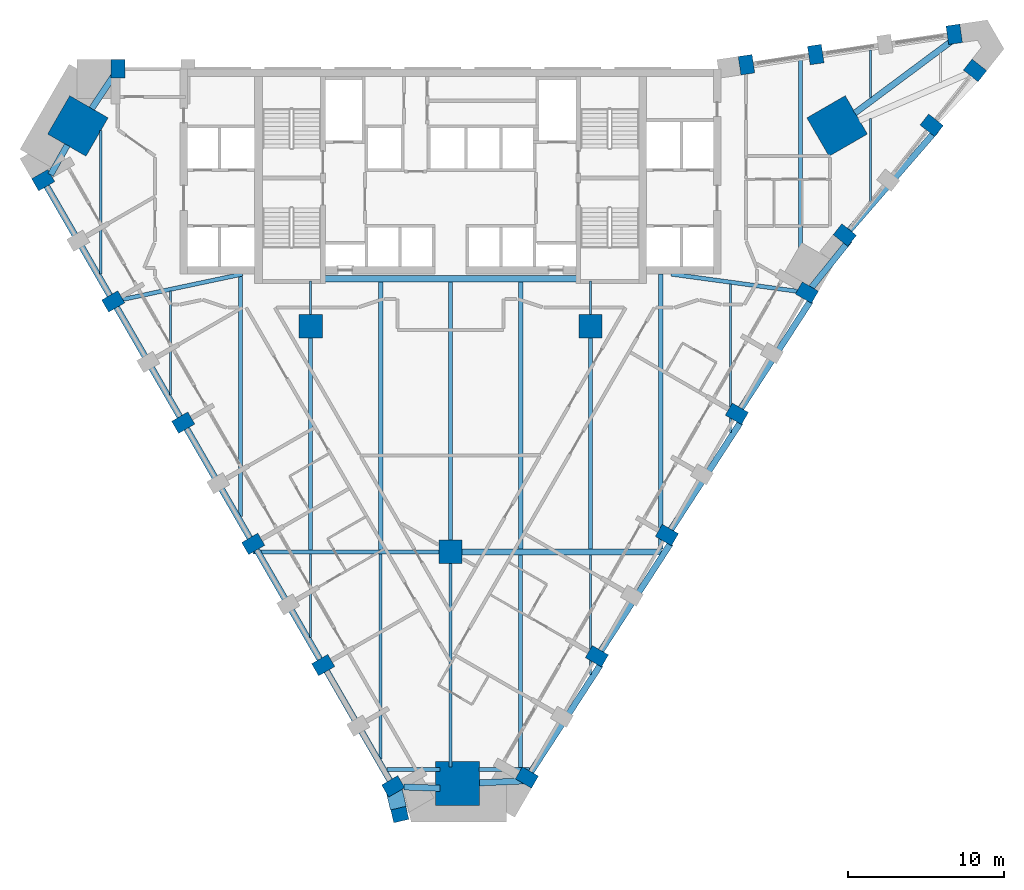
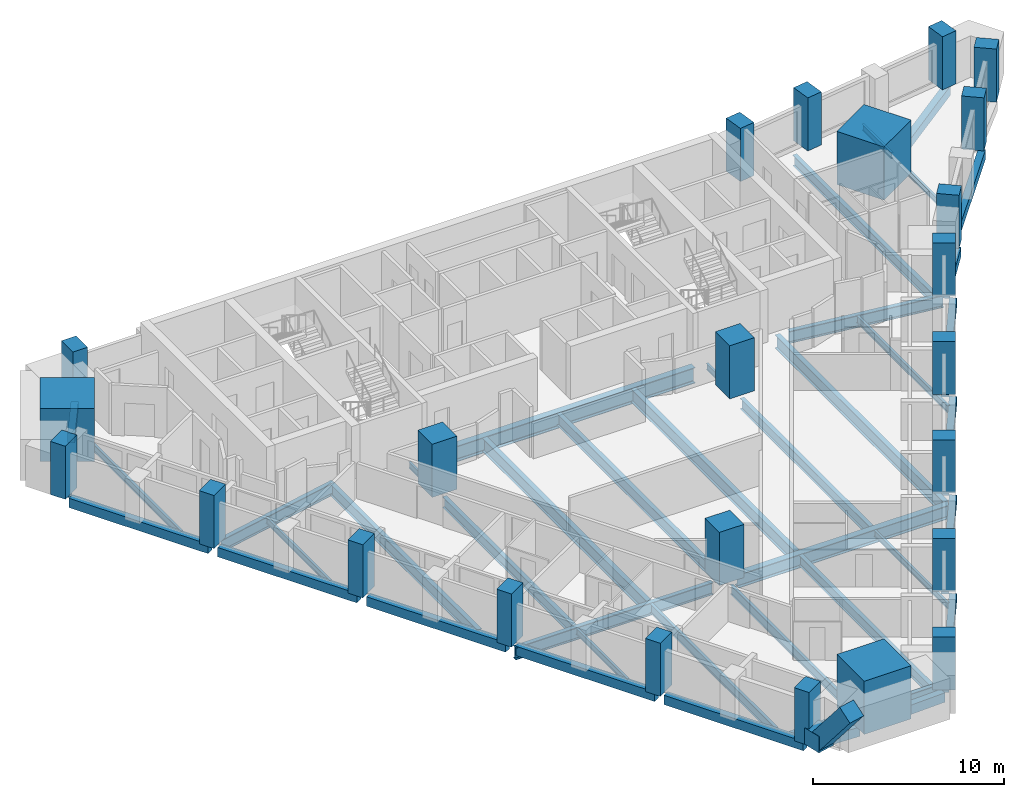
# One storey, part 1 of 11: 44 beams, 25 columns.
"""IFC4 building model written with IfcOpenShell, lengths in metres."""

from ifc_helpers import new_model, si_unit, direction, frame, origin, origin_2d, place, context, subcontext, project, spatial, rectangle, i_section, extrude, material, material_profile, profile_set, type_object, element, save


model = new_model("IFC4")

# Units and contexts
model_context = context("Model", 3, precision=1e-05, world=origin(), true_north=direction((0.0, 1.0)))
body_context = subcontext(model_context, "Body", "Model", "MODEL_VIEW")
ifc_project = project(units=[si_unit("LENGTHUNIT", "METRE"), si_unit("AREAUNIT", "SQUARE_METRE"), si_unit("VOLUMEUNIT", "CUBIC_METRE"), si_unit("PLANEANGLEUNIT", "RADIAN"), si_unit("MASSUNIT", "GRAM", prefix="KILO")], contexts=[model_context])

# Site, building, storey
site_placement = place(None, origin())
site = spatial("IfcSite", under=ifc_project, at=site_placement, CompositionType="ELEMENT")
building_placement = place(site_placement, origin())
building = spatial("IfcBuilding", under=site, at=building_placement, Name="Calabash Gate Tower", CompositionType="ELEMENT")
storey_placement = place(building_placement, frame((0.0, 0.0, 129.199951171875)))
storey = spatial("IfcBuildingStorey", under=building, at=storey_placement, Name="L30", CompositionType="ELEMENT", Elevation=129.199951171875)

# Columns
ifc_material_1 = material(Name="Concrete C80/95", Category="concrete")
ifc_material_profile_1 = material_profile(ifc_material_1, rectangle(XDim=1.5, YDim=1.5, at=origin_2d()))
ifc_profile_set_1 = profile_set([ifc_material_profile_1], Name="Concrete C80/95")
column_type_1 = type_object("IfcColumnType", Name="Interior column RC 1500x1500 Concrete C80/95", PredefinedType="COLUMN", material=ifc_profile_set_1)
for number, where, z_axis, x_axis, name in (
    (1, (-9.0, 2.5, 0.0), (0.0, 0.0, 1.0), (1.0, 0.0, 0.0), "Interior column L30 I0"),
    (2, (9.0, 2.5, 0.0), (0.0, 0.0, 1.0), (1.0, 0.0, 0.0), "Interior column L30 I1"),
    (3, (0.0, -12.0, 0.0), (0.0, 0.0, 1.0), (1.0, 0.0, 0.0), "Interior column L30 I2"),
):
    element("IfcColumn", number, at=place(storey_placement, frame(where, z_axis=z_axis, x_axis=x_axis)), inside=storey, type_object=column_type_1, Name=name, PredefinedType="COLUMN", context=body_context, shape_type="SweptSolid", body=[
        extrude(rectangle(XDim=1.5, YDim=1.5, at=origin_2d()), origin(), (0.0, 0.0, 1.0), 3.400146484375),
    ])
ifc_material_2 = material(Name="Concrete C80/95", Category="concrete")
ifc_material_profile_2 = material_profile(ifc_material_2, rectangle(XDim=2.85009765625, YDim=2.85009765625, at=origin_2d()))
ifc_profile_set_2 = profile_set([ifc_material_profile_2], Name="Concrete C80/95")
column_type_2 = type_object("IfcColumnType", Name="Mega column RC 2850x2850 Concrete C80/95", PredefinedType="COLUMN", material=ifc_profile_set_2)
for number, where, z_axis, x_axis, name in (
    (4, (-23.962890625, 15.382080078125, 0.0), (0.0, 0.0, 1.0), (0.866025403784, -0.5, 0.0), "Mega column L30 NW"),
    (5, (24.85205078125, 15.382080078125, 0.0), (0.0, 0.0, 1.0), (-0.866025403784, -0.5, 0.0), "Mega column L30 NE"),
    (6, (0.447021484375, -26.89306640625, 0.0), (0.0, 0.0, 1.0), (0.0, 1.0, 0.0), "Mega column L30 S"),
):
    element("IfcColumn", number, at=place(storey_placement, frame(where, z_axis=z_axis, x_axis=x_axis)), inside=storey, type_object=column_type_2, Name=name, PredefinedType="COLUMN", context=body_context, shape_type="SweptSolid", body=[
        extrude(rectangle(XDim=2.85009765625, YDim=2.85009765625, at=origin_2d()), origin(), (0.0, 0.0, 1.0), 3.400146484375),
    ])
ifc_material_3 = material(Name="Concrete C70/85", Category="concrete")
ifc_material_profile_3 = material_profile(ifc_material_3, rectangle(XDim=0.89990234375, YDim=1.199951171875, at=origin_2d()))
ifc_profile_set_3 = profile_set([ifc_material_profile_3], Name="Concrete C70/85")
column_type_3 = type_object("IfcColumnType", Name="Perimeter column RC 900x1200 Concrete C70/85", PredefinedType="COLUMN", material=ifc_profile_set_3)
for number, where, z_axis, x_axis, name in (
    (7, (-26.18798828125, 11.89404296875, 0.0), (0.0, 0.0, 1.0), (0.5, -0.866025403784, 0.0), "Perimeter column L30 P20"),
    (8, (-21.68798828125, 4.10009765625, 0.0), (0.0, 0.0, 1.0), (0.5, -0.866025403784, 0.0), "Perimeter column L30 P00"),
    (9, (-17.18798828125, -3.694091796875, 0.0), (0.0, 0.0, 1.0), (0.5, -0.866025403784, 0.0), "Perimeter column L30 P01"),
    (10, (-12.68798828125, -11.488037109375, 0.0), (0.0, 0.0, 1.0), (0.5, -0.866025403784, 0.0), "Perimeter column L30 P02"),
    (11, (-8.18798828125, -19.281982421875, 0.0), (0.0, 0.0, 1.0), (0.5, -0.866025403784, 0.0), "Perimeter column L30 P03"),
    (12, (-3.68798828125, -27.076904296875, 0.0), (0.0, 0.0, 1.0), (0.5, -0.866025403784, 0.0), "Perimeter column L30 P05"),
    (13, (4.906982421875, -26.506103515625, 0.0), (0.0, 0.0, 1.0), (0.5, 0.866025403784, 0.0), "Perimeter column L30 P08"),
    (14, (9.406982421875, -18.7119140625, 0.0), (0.0, 0.0, 1.0), (0.5, 0.866025403784, 0.0), "Perimeter column L30 P09"),
    (15, (13.906982421875, -10.91796875, 0.0), (0.0, 0.0, 1.0), (0.5, 0.866025403784, 0.0), "Perimeter column L30 P10"),
    (16, (18.406982421875, -3.1240234375, 0.0), (0.0, 0.0, 1.0), (0.5, 0.866025403784, 0.0), "Perimeter column L30 P11"),
    (17, (22.906982421875, 4.6708984375, 0.0), (0.0, 0.0, 1.0), (0.5, 0.866025403784, 0.0), "Perimeter column L30 P12"),
    (18, (25.345947265625, 8.366943359375, 0.0), (0.0, 0.0, 1.0), (0.620301172202, 0.784363726701, 0.0), "Perimeter column L30 P13"),
    (19, (30.928955078125, 15.424072265625, 0.0), (0.0, 0.0, 1.0), (0.620301172202, 0.784363726701, 0.0), "Perimeter column L30 P21"),
    (20, (33.719970703125, 18.9541015625, 0.0), (0.0, 0.0, 1.0), (0.620301172202, 0.784363726701, 0.0), "Perimeter column L30 P22"),
    (21, (32.3798828125, 21.27587890625, 0.0), (0.0, 0.0, 1.0), (-0.989429504293, -0.145014675236, 0.0), "Perimeter column L30 P23"),
    (22, (23.47705078125, 19.970947265625, 0.0), (0.0, 0.0, 1.0), (-0.989429504293, -0.145014675236, 0.0), "Perimeter column L30 P16"),
    (23, (19.02294921875, 19.318115234375, 0.0), (0.0, 0.0, 1.0), (-0.989429504293, -0.145014675236, 0.0), "Perimeter column L30 P24"),
    (24, (-21.39697265625, 19.052978515625, 0.0), (0.0, 0.0, 1.0), (-1.0, 0.0, 0.0), "Perimeter column L30 P17"),
):
    element("IfcColumn", number, at=place(storey_placement, frame(where, z_axis=z_axis, x_axis=x_axis)), inside=storey, type_object=column_type_3, Name=name, PredefinedType="COLUMN", context=body_context, shape_type="SweptSolid", body=[
        extrude(rectangle(XDim=0.89990234375, YDim=1.199951171875, at=origin_2d()), origin(), (0.0, 0.0, 1.0), 3.400146484375),
    ])
ifc_material_4 = material(Name="Concrete C80/95", Category="concrete")
ifc_material_profile_4 = material_profile(ifc_material_4, rectangle(XDim=1.0, YDim=1.0, at=origin_2d()))
ifc_profile_set_4 = profile_set([ifc_material_profile_4], Name="Concrete C80/95")
column_type_4 = type_object("IfcColumnType", Name="Prow kicker column RC 1000x1000 Concrete C80/95", PredefinedType="COLUMN", material=ifc_profile_set_4)
column_placement = place(storey_placement, frame((-3.4541015625, -28.075927734375, 0.41015625), z_axis=(0.141877471433, -0.604195712053, 0.784103516532), x_axis=(-0.179247881888, 0.763340370658, 0.620630063212)))
element("IfcColumn", 25, at=column_placement, inside=storey, type_object=column_type_4, Name="Prow kicker column L30 KP27", PredefinedType="COLUMN", context=body_context, shape_type="SweptSolid", body=[
    extrude(rectangle(XDim=1.0, YDim=1.0, at=origin_2d()), origin(), (0.0, 0.0, 1.0), 3.813232421875),
])

# Beams
ifc_material_5 = material(Name="Concrete C60/75", Category="concrete")
ifc_material_profile_5 = material_profile(ifc_material_5, rectangle(XDim=0.39990234375, YDim=0.60009765625, at=origin_2d()))
ifc_profile_set_5 = profile_set([ifc_material_profile_5], Name="Concrete C60/75")
beam_type_1 = type_object("IfcBeamType", Name="Edge beam RC 400x600 Concrete C60/75", PredefinedType="BEAM", material=ifc_profile_set_5)
beam_1_placement = place(storey_placement, frame((-16.969970703125, -4.072021484375, -0.469970703125), z_axis=(0.500003371769, -0.866023457084, 0.0), x_axis=(0.866023457084, 0.500003371769, 0.0)))
element("IfcBeam", 26, at=beam_1_placement, inside=storey, type_object=beam_type_1, Name="Edge beam L30 1", PredefinedType="BEAM", context=body_context, shape_type="SweptSolid", body=[
    extrude(rectangle(XDim=0.39990234375, YDim=0.60009765625, at=origin_2d()), origin(), (0.0, 0.0, 1.0), 8.42578125),
])
for number, where, z_axis, x_axis, name in (
    (27, (-12.469970703125, -11.865966796875, -0.469970703125), (0.499990825162, -0.866030700815, 0.0), (0.866030700815, 0.499990825162, 0.0), "Edge beam L30 2"),
    (28, (-7.969970703125, -19.659912109375, -0.469970703125), (0.499990825162, -0.866030700815, 0.0), (0.866030700815, 0.499990825162, 0.0), "Edge beam L30 3"),
):
    element("IfcBeam", number, at=place(storey_placement, frame(where, z_axis=z_axis, x_axis=x_axis)), inside=storey, type_object=beam_type_1, Name=name, PredefinedType="BEAM", context=body_context, shape_type="SweptSolid", body=[
        extrude(rectangle(XDim=0.39990234375, YDim=0.60009765625, at=origin_2d()), origin(), (0.0, 0.0, 1.0), 8.426025390625),
    ])
beam_2_placement = place(storey_placement, frame((-2.992919921875, -27.113037109375, -0.469970703125), z_axis=(0.999279436939, -0.037955327843, 0.0), x_axis=(0.037955327843, 0.999279436939, 0.0)))
element("IfcBeam", 29, at=beam_2_placement, inside=storey, type_object=beam_type_1, Name="Edge beam L30 4", PredefinedType="BEAM", context=body_context, shape_type="SweptSolid", body=[
    extrude(rectangle(XDim=0.39990234375, YDim=0.60009765625, at=origin_2d()), origin(), (0.0, 0.0, 1.0), 2.315673828125),
])
beam_3_placement = place(storey_placement, frame((1.85107421875, -26.85107421875, -0.469970703125), z_axis=(0.999046805248, 0.043651814669, 0.0), x_axis=(-0.043651814669, 0.999046805248, 0.0)))
element("IfcBeam", 30, at=beam_3_placement, inside=storey, type_object=beam_type_1, Name="Edge beam L30 5", PredefinedType="BEAM", context=body_context, shape_type="SweptSolid", body=[
    extrude(rectangle(XDim=0.39990234375, YDim=0.60009765625, at=origin_2d()), origin(), (0.0, 0.0, 1.0), 2.863525390625),
])
for number, where, z_axis, x_axis, name in (
    (31, (5.1669921875, -26.153076171875, -0.469970703125), (0.543559539771, 0.83937061345, 0.0), (-0.83937061345, 0.543559539771, 0.0), "Edge beam L30 6"),
    (32, (9.6669921875, -18.361083984375, -0.469970703125), (0.543559539771, 0.83937061345, 0.0), (-0.83937061345, 0.543559539771, 0.0), "Edge beam L30 7"),
):
    element("IfcBeam", number, at=place(storey_placement, frame(where, z_axis=z_axis, x_axis=x_axis)), inside=storey, type_object=beam_type_1, Name=name, PredefinedType="BEAM", context=body_context, shape_type="SweptSolid", body=[
        extrude(rectangle(XDim=0.39990234375, YDim=0.60009765625, at=origin_2d()), origin(), (0.0, 0.0, 1.0), 8.208740234375),
    ])
for number, where, z_axis, x_axis, name in (
    (33, (14.1669921875, -10.56591796875, -0.469970703125), (0.543627394435, 0.839326668241, 0.0), (-0.839326668241, 0.543627394435, 0.0), "Edge beam L30 8"),
    (34, (18.6669921875, -2.77197265625, -0.469970703125), (0.543627394435, 0.839326668241, 0.0), (-0.839326668241, 0.543627394435, 0.0), "Edge beam L30 9"),
):
    element("IfcBeam", number, at=place(storey_placement, frame(where, z_axis=z_axis, x_axis=x_axis)), inside=storey, type_object=beam_type_1, Name=name, PredefinedType="BEAM", context=body_context, shape_type="SweptSolid", body=[
        extrude(rectangle(XDim=0.39990234375, YDim=0.60009765625, at=origin_2d()), origin(), (0.0, 0.0, 1.0), 8.207763671875),
    ])
beam_4_placement = place(storey_placement, frame((23.2041015625, 5.0, -0.469970703125), z_axis=(0.627060232995, 0.778970772363, 0.0), x_axis=(-0.778970772363, 0.627060232995, 0.0)))
element("IfcBeam", 35, at=beam_4_placement, inside=storey, type_object=beam_type_1, Name="Edge beam L30 10", PredefinedType="BEAM", context=body_context, shape_type="SweptSolid", body=[
    extrude(rectangle(XDim=0.39990234375, YDim=0.60009765625, at=origin_2d()), origin(), (0.0, 0.0, 1.0), 3.91015625),
])
beam_5_placement = place(storey_placement, frame((25.637939453125, 8.66796875, -0.469970703125), z_axis=(0.655090472219, 0.755550443854, 0.0), x_axis=(-0.755550443854, 0.655090472219, 0.0)))
element("IfcBeam", 36, at=beam_5_placement, inside=storey, type_object=beam_type_1, Name="Edge beam L30 11", PredefinedType="BEAM", context=body_context, shape_type="SweptSolid", body=[
    extrude(rectangle(XDim=0.39990234375, YDim=0.60009765625, at=origin_2d()), origin(), (0.0, 0.0, 1.0), 8.542236328125),
])
beam_6_placement = place(storey_placement, frame((25.990966796875, 16.208984375, -0.469970703125), z_axis=(0.802179537522, 0.597082900091, 0.0), x_axis=(-0.597082900091, 0.802179537522, 0.0)))
element("IfcBeam", 37, at=beam_6_placement, inside=storey, type_object=beam_type_1, Name="Edge beam L30 14", PredefinedType="BEAM", context=body_context, shape_type="SweptSolid", body=[
    extrude(rectangle(XDim=0.39990234375, YDim=0.60009765625, at=origin_2d()), origin(), (0.0, 0.0, 1.0), 8.206298828125),
])
beam_7_placement = place(storey_placement, frame((-21.462890625, 18.9208984375, -0.469970703125), z_axis=(-0.552202083819, -0.833710296581, 0.0), x_axis=(0.833710296581, -0.552202083819, 0.0)))
element("IfcBeam", 38, at=beam_7_placement, inside=storey, type_object=beam_type_1, Name="Edge beam L30 17", PredefinedType="BEAM", context=body_context, shape_type="SweptSolid", body=[
    extrude(rectangle(XDim=0.39990234375, YDim=0.60009765625, at=origin_2d()), origin(), (0.0, 0.0, 1.0), 2.912353515625),
])
beam_8_placement = place(storey_placement, frame((-24.64306640625, 14.14990234375, -0.469970703125), z_axis=(-0.489610543482, -0.871941234093, 0.0), x_axis=(0.871941234093, -0.489610543482, 0.0)))
element("IfcBeam", 39, at=beam_8_placement, inside=storey, type_object=beam_type_1, Name="Edge beam L30 18", PredefinedType="BEAM", context=body_context, shape_type="SweptSolid", body=[
    extrude(rectangle(XDim=0.39990234375, YDim=0.60009765625, at=origin_2d()), origin(), (0.0, 0.0, 1.0), 2.191650390625),
])
beam_9_placement = place(storey_placement, frame((-25.969970703125, 11.51708984375, -0.469970703125), z_axis=(0.499990825162, -0.866030700815, 0.0), x_axis=(0.866030700815, 0.499990825162, 0.0)))
element("IfcBeam", 40, at=beam_9_placement, inside=storey, type_object=beam_type_1, Name="Edge beam L30 19", PredefinedType="BEAM", context=body_context, shape_type="SweptSolid", body=[
    extrude(rectangle(XDim=0.39990234375, YDim=0.60009765625, at=origin_2d()), origin(), (0.0, 0.0, 1.0), 8.426025390625),
])
beam_10_placement = place(storey_placement, frame((-21.469970703125, 3.721923828125, -0.469970703125), z_axis=(0.500103763521, -0.865965487599, 0.0), x_axis=(0.865965487599, 0.500103763521, 0.0)))
element("IfcBeam", 41, at=beam_10_placement, inside=storey, type_object=beam_type_1, Name="Edge beam L30 20", PredefinedType="BEAM", context=body_context, shape_type="SweptSolid", body=[
    extrude(rectangle(XDim=0.39990234375, YDim=0.60009765625, at=origin_2d()), origin(), (0.0, 0.0, 1.0), 8.424072265625),
])
ifc_material_6 = material(Name="Steel ASTM A992 Gr50", Category="steel")
ifc_material_profile_6 = material_profile(ifc_material_6, i_section(OverallWidth=0.1396484375, OverallDepth=0.398681640625, WebThickness=0.00634765625, FlangeThickness=0.0087890625, FilletRadius=0.01025390625, at=origin_2d()))
ifc_profile_set_6 = profile_set([ifc_material_profile_6], Name="Steel ASTM A992 Gr50")
beam_type_2 = type_object("IfcBeamType", Name="Floor beam W16x26 ASTM A992 Gr50", PredefinedType="BEAM", material=ifc_profile_set_6)
beam_11_placement = place(storey_placement, frame((-18.0, -1.919921875, -0.368896484375), z_axis=(0.0, 1.0, 0.0), x_axis=(-1.0, 0.0, 0.0)))
element("IfcBeam", 42, at=beam_11_placement, inside=storey, type_object=beam_type_2, Name="Floor beam L30 2", PredefinedType="BEAM", context=body_context, shape_type="SweptSolid", body=[
    extrude(i_section(OverallWidth=0.1396484375, OverallDepth=0.398681640625, WebThickness=0.00634765625, FlangeThickness=0.0087890625, FilletRadius=0.01025390625, at=origin_2d()), origin(), (0.0, 0.0, 1.0), 6.697021484375),
])
beam_12_placement = place(storey_placement, frame((-9.0, -17.508056640625, -0.368896484375), z_axis=(0.0, 1.0, 0.0), x_axis=(-1.0, 0.0, 0.0)))
element("IfcBeam", 43, at=beam_12_placement, inside=storey, type_object=beam_type_2, Name="Floor beam L30 4", PredefinedType="BEAM", context=body_context, shape_type="SweptSolid", body=[
    extrude(i_section(OverallWidth=0.1396484375, OverallDepth=0.398681640625, WebThickness=0.00634765625, FlangeThickness=0.0087890625, FilletRadius=0.01025390625, at=origin_2d()), origin(), (0.0, 0.0, 1.0), 5.375),
])
beam_13_placement = place(storey_placement, frame((-9.0, 3.25, -0.368896484375), z_axis=(0.0, 1.0, 0.0), x_axis=(-1.0, 0.0, 0.0)))
element("IfcBeam", 44, at=beam_13_placement, inside=storey, type_object=beam_type_2, Name="Floor beam L30 6", PredefinedType="BEAM", context=body_context, shape_type="SweptSolid", body=[
    extrude(i_section(OverallWidth=0.1396484375, OverallDepth=0.398681640625, WebThickness=0.00634765625, FlangeThickness=0.0087890625, FilletRadius=0.01025390625, at=origin_2d()), origin(), (0.0, 0.0, 1.0), 2.153076171875),
])
beam_14_placement = place(storey_placement, frame((9.0, -19.89794921875, -0.368896484375), z_axis=(0.0, 1.0, 0.0), x_axis=(-1.0, 0.0, 0.0)))
element("IfcBeam", 45, at=beam_14_placement, inside=storey, type_object=beam_type_2, Name="Floor beam L30 13", PredefinedType="BEAM", context=body_context, shape_type="SweptSolid", body=[
    extrude(i_section(OverallWidth=0.1396484375, OverallDepth=0.398681640625, WebThickness=0.00634765625, FlangeThickness=0.0087890625, FilletRadius=0.01025390625, at=origin_2d()), origin(), (0.0, 0.0, 1.0), 7.698974609375),
])
beam_15_placement = place(storey_placement, frame((9.0, 3.25, -0.368896484375), z_axis=(0.0, 1.0, 0.0), x_axis=(-1.0, 0.0, 0.0)))
element("IfcBeam", 46, at=beam_15_placement, inside=storey, type_object=beam_type_2, Name="Floor beam L30 15", PredefinedType="BEAM", context=body_context, shape_type="SweptSolid", body=[
    extrude(i_section(OverallWidth=0.1396484375, OverallDepth=0.398681640625, WebThickness=0.00634765625, FlangeThickness=0.0087890625, FilletRadius=0.01025390625, at=origin_2d()), origin(), (0.0, 0.0, 1.0), 2.153076171875),
])
beam_16_placement = place(storey_placement, frame((27.0, 10.529052734375, -0.368896484375), z_axis=(0.0, 1.0, 0.0), x_axis=(-1.0, 0.0, 0.0)))
element("IfcBeam", 47, at=beam_16_placement, inside=storey, type_object=beam_type_2, Name="Floor beam L30 19", PredefinedType="BEAM", context=body_context, shape_type="SweptSolid", body=[
    extrude(i_section(OverallWidth=0.1396484375, OverallDepth=0.398681640625, WebThickness=0.00634765625, FlangeThickness=0.0087890625, FilletRadius=0.01025390625, at=origin_2d()), origin(), (0.0, 0.0, 1.0), 5.327880859375),
])
beam_17_placement = place(storey_placement, frame((27.0, 17.197021484375, -0.368896484375), z_axis=(0.0, 1.0, 0.0), x_axis=(-1.0, 0.0, 0.0)))
element("IfcBeam", 48, at=beam_17_placement, inside=storey, type_object=beam_type_2, Name="Floor beam L30 20", PredefinedType="BEAM", context=body_context, shape_type="SweptSolid", body=[
    extrude(i_section(OverallWidth=0.1396484375, OverallDepth=0.398681640625, WebThickness=0.00634765625, FlangeThickness=0.0087890625, FilletRadius=0.01025390625, at=origin_2d()), origin(), (0.0, 0.0, 1.0), 3.06005859375),
])
ifc_material_7 = material(Name="Steel ASTM A992 Gr50", Category="steel")
ifc_material_profile_7 = material_profile(ifc_material_7, i_section(OverallWidth=0.15234375, OverallDepth=0.44970703125, WebThickness=0.007568359375, FlangeThickness=0.0107421875, FilletRadius=0.01025390625, at=origin_2d()))
ifc_profile_set_7 = profile_set([ifc_material_profile_7], Name="Steel ASTM A992 Gr50")
beam_type_3 = type_object("IfcBeamType", Name="Floor beam W18x35 ASTM A992 Gr50", PredefinedType="BEAM", material=ifc_profile_set_7)
beam_18_placement = place(storey_placement, frame((-22.5, 5.8740234375, -0.39306640625), z_axis=(0.0, 1.0, 0.0), x_axis=(-1.0, 0.0, 0.0)))
element("IfcBeam", 49, at=beam_18_placement, inside=storey, type_object=beam_type_3, Name="Floor beam L30 1", PredefinedType="BEAM", context=body_context, shape_type="SweptSolid", body=[
    extrude(i_section(OverallWidth=0.15234375, OverallDepth=0.44970703125, WebThickness=0.007568359375, FlangeThickness=0.0107421875, FilletRadius=0.01025390625, at=origin_2d()), origin(), (0.0, 0.0, 1.0), 9.218017578125),
])
beam_19_placement = place(storey_placement, frame((18.0, -4.31005859375, -0.39306640625), z_axis=(0.0, 1.0, 0.0), x_axis=(-1.0, 0.0, 0.0)))
element("IfcBeam", 50, at=beam_19_placement, inside=storey, type_object=beam_type_3, Name="Floor beam L30 17", PredefinedType="BEAM", context=body_context, shape_type="SweptSolid", body=[
    extrude(i_section(OverallWidth=0.15234375, OverallDepth=0.44970703125, WebThickness=0.007568359375, FlangeThickness=0.0107421875, FilletRadius=0.01025390625, at=origin_2d()), origin(), (0.0, 0.0, 1.0), 9.537109375),
])
ifc_material_8 = material(Name="Steel ASTM A992 Gr50", Category="steel")
ifc_material_profile_8 = material_profile(ifc_material_8, i_section(OverallWidth=0.1787109375, OverallDepth=0.60205078125, WebThickness=0.010986328125, FlangeThickness=0.014892578125, FilletRadius=0.0126953125, at=origin_2d()))
ifc_profile_set_8 = profile_set([ifc_material_profile_8], Name="Steel ASTM A992 Gr50")
beam_type_4 = type_object("IfcBeamType", Name="Floor beam W24x62 ASTM A992 Gr50", PredefinedType="BEAM", material=ifc_profile_set_8)
beam_20_placement = place(storey_placement, frame((-4.5, -25.302978515625, -0.470947265625), z_axis=(0.0, 1.0, 0.0), x_axis=(-1.0, 0.0, 0.0)))
element("IfcBeam", 51, at=beam_20_placement, inside=storey, type_object=beam_type_4, Name="Floor beam L30 7", PredefinedType="BEAM", context=body_context, shape_type="SweptSolid", body=[
    extrude(i_section(OverallWidth=0.1787109375, OverallDepth=0.60205078125, WebThickness=0.010986328125, FlangeThickness=0.014892578125, FilletRadius=0.0126953125, at=origin_2d()), origin(), (0.0, 0.0, 1.0), 13.169921875),
])
beam_21_placement = place(storey_placement, frame((0.0, -25.840087890625, -0.470947265625), z_axis=(0.0, 1.0, 0.0), x_axis=(-1.0, 0.0, 0.0)))
element("IfcBeam", 52, at=beam_21_placement, inside=storey, type_object=beam_type_4, Name="Floor beam L30 9", PredefinedType="BEAM", context=body_context, shape_type="SweptSolid", body=[
    extrude(i_section(OverallWidth=0.1787109375, OverallDepth=0.60205078125, WebThickness=0.010986328125, FlangeThickness=0.014892578125, FilletRadius=0.0126953125, at=origin_2d()), origin(), (0.0, 0.0, 1.0), 13.090087890625),
])
ifc_material_9 = material(Name="Steel ASTM A992 Gr50", Category="steel")
ifc_material_profile_9 = material_profile(ifc_material_9, i_section(OverallWidth=0.25390625, OverallDepth=0.67822265625, WebThickness=0.01171875, FlangeThickness=0.016357421875, FilletRadius=0.01513671875, at=origin_2d()))
ifc_profile_set_9 = profile_set([ifc_material_profile_9], Name="Steel ASTM A992 Gr50")
beam_type_5 = type_object("IfcBeamType", Name="Floor beam W27x84 ASTM A992 Gr50", PredefinedType="BEAM", material=ifc_profile_set_9)
beam_22_placement = place(storey_placement, frame((-9.0, -11.866943359375, -0.509033203125), z_axis=(0.0, 1.0, 0.0), x_axis=(-1.0, 0.0, 0.0)))
element("IfcBeam", 53, at=beam_22_placement, inside=storey, type_object=beam_type_5, Name="Floor beam L30 5", PredefinedType="BEAM", context=body_context, shape_type="SweptSolid", body=[
    extrude(i_section(OverallWidth=0.25390625, OverallDepth=0.67822265625, WebThickness=0.01171875, FlangeThickness=0.016357421875, FilletRadius=0.01513671875, at=origin_2d()), origin(), (0.0, 0.0, 1.0), 13.616943359375),
])
beam_23_placement = place(storey_placement, frame((4.5, -25.89892578125, -0.509033203125), z_axis=(0.0, 1.0, 0.0), x_axis=(-1.0, 0.0, 0.0)))
element("IfcBeam", 54, at=beam_23_placement, inside=storey, type_object=beam_type_5, Name="Floor beam L30 11", PredefinedType="BEAM", context=body_context, shape_type="SweptSolid", body=[
    extrude(i_section(OverallWidth=0.25390625, OverallDepth=0.67822265625, WebThickness=0.01171875, FlangeThickness=0.016357421875, FilletRadius=0.01513671875, at=origin_2d()), origin(), (0.0, 0.0, 1.0), 13.699951171875),
])
beam_24_placement = place(storey_placement, frame((9.0, -11.801025390625, -0.509033203125), z_axis=(0.0, 1.0, 0.0), x_axis=(-1.0, 0.0, 0.0)))
element("IfcBeam", 55, at=beam_24_placement, inside=storey, type_object=beam_type_5, Name="Floor beam L30 14", PredefinedType="BEAM", context=body_context, shape_type="SweptSolid", body=[
    extrude(i_section(OverallWidth=0.25390625, OverallDepth=0.67822265625, WebThickness=0.01171875, FlangeThickness=0.016357421875, FilletRadius=0.01513671875, at=origin_2d()), origin(), (0.0, 0.0, 1.0), 13.551025390625),
])
beam_25_placement = place(storey_placement, frame((22.5, 4.843994140625, -0.509033203125), z_axis=(0.0, 1.0, 0.0), x_axis=(-1.0, 0.0, 0.0)))
element("IfcBeam", 56, at=beam_25_placement, inside=storey, type_object=beam_type_5, Name="Floor beam L30 18", PredefinedType="BEAM", context=body_context, shape_type="SweptSolid", body=[
    extrude(i_section(OverallWidth=0.25390625, OverallDepth=0.67822265625, WebThickness=0.01171875, FlangeThickness=0.016357421875, FilletRadius=0.01513671875, at=origin_2d()), origin(), (0.0, 0.0, 1.0), 14.77197265625),
])
ifc_material_10 = material(Name="Steel ASTM A992 Gr50", Category="steel")
ifc_material_profile_10 = material_profile(ifc_material_10, i_section(OverallWidth=0.2666015625, OverallDepth=0.7568359375, WebThickness=0.013916015625, FlangeThickness=0.019287109375, FilletRadius=0.0166015625, at=origin_2d()))
ifc_profile_set_10 = profile_set([ifc_material_profile_10], Name="Steel ASTM A992 Gr50")
beam_type_6 = type_object("IfcBeamType", Name="Floor beam W30x108 ASTM A992 Gr50", PredefinedType="BEAM", material=ifc_profile_set_10)
beam_26_placement = place(storey_placement, frame((-13.5, -9.714111328125, -0.5478515625), z_axis=(0.0, 1.0, 0.0), x_axis=(-1.0, 0.0, 0.0)))
element("IfcBeam", 57, at=beam_26_placement, inside=storey, type_object=beam_type_6, Name="Floor beam L30 3", PredefinedType="BEAM", context=body_context, shape_type="SweptSolid", body=[
    extrude(i_section(OverallWidth=0.2666015625, OverallDepth=0.7568359375, WebThickness=0.013916015625, FlangeThickness=0.019287109375, FilletRadius=0.0166015625, at=origin_2d()), origin(), (0.0, 0.0, 1.0), 15.424072265625),
])
beam_27_placement = place(storey_placement, frame((0.0, -11.25, -0.5478515625), z_axis=(0.0, 1.0, 0.0), x_axis=(-1.0, 0.0, 0.0)))
element("IfcBeam", 58, at=beam_27_placement, inside=storey, type_object=beam_type_6, Name="Floor beam L30 10", PredefinedType="BEAM", context=body_context, shape_type="SweptSolid", body=[
    extrude(i_section(OverallWidth=0.2666015625, OverallDepth=0.7568359375, WebThickness=0.013916015625, FlangeThickness=0.019287109375, FilletRadius=0.0166015625, at=origin_2d()), origin(), (0.0, 0.0, 1.0), 16.60205078125),
])
ifc_material_11 = material(Name="Steel ASTM A992 Gr50", Category="steel")
ifc_material_profile_11 = material_profile(ifc_material_11, i_section(OverallWidth=0.2919921875, OverallDepth=0.845703125, WebThickness=0.015380859375, FlangeThickness=0.0244140625, FilletRadius=0.017822265625, at=origin_2d()))
ifc_profile_set_11 = profile_set([ifc_material_profile_11], Name="Steel ASTM A992 Gr50")
beam_type_7 = type_object("IfcBeamType", Name="Floor beam W33x141 ASTM A992 Gr50", PredefinedType="BEAM", material=ifc_profile_set_11)
beam_28_placement = place(storey_placement, frame((-4.5, -11.866943359375, -0.593017578125), z_axis=(0.0, 1.0, 0.0), x_axis=(-1.0, 0.0, 0.0)))
element("IfcBeam", 59, at=beam_28_placement, inside=storey, type_object=beam_type_7, Name="Floor beam L30 8", PredefinedType="BEAM", context=body_context, shape_type="SweptSolid", body=[
    extrude(i_section(OverallWidth=0.2919921875, OverallDepth=0.845703125, WebThickness=0.015380859375, FlangeThickness=0.0244140625, FilletRadius=0.017822265625, at=origin_2d()), origin(), (0.0, 0.0, 1.0), 17.218994140625),
])
beam_29_placement = place(storey_placement, frame((4.5, -11.801025390625, -0.593017578125), z_axis=(0.0, 1.0, 0.0), x_axis=(-1.0, 0.0, 0.0)))
element("IfcBeam", 60, at=beam_29_placement, inside=storey, type_object=beam_type_7, Name="Floor beam L30 12", PredefinedType="BEAM", context=body_context, shape_type="SweptSolid", body=[
    extrude(i_section(OverallWidth=0.2919921875, OverallDepth=0.845703125, WebThickness=0.015380859375, FlangeThickness=0.0244140625, FilletRadius=0.017822265625, at=origin_2d()), origin(), (0.0, 0.0, 1.0), 17.153076171875),
])
beam_30_placement = place(storey_placement, frame((13.5, -11.823974609375, -0.593017578125), z_axis=(0.0, 1.0, 0.0), x_axis=(-1.0, 0.0, 0.0)))
element("IfcBeam", 61, at=beam_30_placement, inside=storey, type_object=beam_type_7, Name="Floor beam L30 16", PredefinedType="BEAM", context=body_context, shape_type="SweptSolid", body=[
    extrude(i_section(OverallWidth=0.2919921875, OverallDepth=0.845703125, WebThickness=0.015380859375, FlangeThickness=0.0244140625, FilletRadius=0.017822265625, at=origin_2d()), origin(), (0.0, 0.0, 1.0), 17.677001953125),
])
ifc_material_12 = material(Name="Steel ASTM A992 Gr50", Category="steel")
ifc_material_profile_12 = material_profile(ifc_material_12, i_section(OverallWidth=0.2666015625, OverallDepth=0.77978515625, WebThickness=0.0166015625, FlangeThickness=0.030029296875, FilletRadius=0.0166015625, at=origin_2d()))
ifc_profile_set_12 = profile_set([ifc_material_profile_12], Name="Steel ASTM A992 Gr50")
beam_type_8 = type_object("IfcBeamType", Name="Girder W30x148 ASTM A992 Gr50", PredefinedType="BEAM", material=ifc_profile_set_12)
beam_31_placement = place(storey_placement, frame((-21.092041015625, 4.22607421875, -0.56005859375), z_axis=(0.978296589788, 0.207209513317, 0.0), x_axis=(-0.207209513317, 0.978296589788, 0.0)))
element("IfcBeam", 62, at=beam_31_placement, inside=storey, type_object=beam_type_8, Name="Girder L30 2", PredefinedType="BEAM", context=body_context, shape_type="SweptSolid", body=[
    extrude(i_section(OverallWidth=0.2666015625, OverallDepth=0.77978515625, WebThickness=0.0166015625, FlangeThickness=0.030029296875, FilletRadius=0.0166015625, at=origin_2d()), origin(), (0.0, 0.0, 1.0), 7.880126953125),
])
beam_32_placement = place(storey_placement, frame((22.841064453125, 4.678955078125, -0.56005859375), z_axis=(-0.990879596381, 0.134750233679, 0.0), x_axis=(-0.134750233679, -0.990879596381, 0.0)))
element("IfcBeam", 63, at=beam_32_placement, inside=storey, type_object=beam_type_8, Name="Girder L30 3", PredefinedType="BEAM", context=body_context, shape_type="SweptSolid", body=[
    extrude(i_section(OverallWidth=0.2666015625, OverallDepth=0.77978515625, WebThickness=0.0166015625, FlangeThickness=0.030029296875, FilletRadius=0.0166015625, at=origin_2d()), origin(), (0.0, 0.0, 1.0), 8.734619140625),
])
beam_33_placement = place(storey_placement, frame((-12.693115234375, -12.0, -0.56005859375), z_axis=(1.0, 0.0, 0.0), x_axis=(0.0, 1.0, 0.0)))
element("IfcBeam", 64, at=beam_33_placement, inside=storey, type_object=beam_type_8, Name="Girder L30 4", PredefinedType="BEAM", context=body_context, shape_type="SweptSolid", body=[
    extrude(i_section(OverallWidth=0.2666015625, OverallDepth=0.77978515625, WebThickness=0.0166015625, FlangeThickness=0.030029296875, FilletRadius=0.0166015625, at=origin_2d()), origin(), (0.0, 0.0, 1.0), 11.943115234375),
])
beam_34_placement = place(storey_placement, frame((-4.10009765625, -26.0, -0.56005859375), z_axis=(1.0, 0.0, 0.0), x_axis=(0.0, 1.0, 0.0)))
element("IfcBeam", 65, at=beam_34_placement, inside=storey, type_object=beam_type_8, Name="Girder L30 6", PredefinedType="BEAM", context=body_context, shape_type="SweptSolid", body=[
    extrude(i_section(OverallWidth=0.2666015625, OverallDepth=0.77978515625, WebThickness=0.0166015625, FlangeThickness=0.030029296875, FilletRadius=0.0166015625, at=origin_2d()), origin(), (0.0, 0.0, 1.0), 3.412109375),
])
beam_35_placement = place(storey_placement, frame((1.841064453125, -26.0, -0.56005859375), z_axis=(1.0, 0.0, 0.0), x_axis=(0.0, 1.0, 0.0)))
element("IfcBeam", 66, at=beam_35_placement, inside=storey, type_object=beam_type_8, Name="Girder L30 7", PredefinedType="BEAM", context=body_context, shape_type="SweptSolid", body=[
    extrude(i_section(OverallWidth=0.2666015625, OverallDepth=0.77978515625, WebThickness=0.0166015625, FlangeThickness=0.030029296875, FilletRadius=0.0166015625, at=origin_2d()), origin(), (0.0, 0.0, 1.0), 3.217041015625),
])
ifc_material_13 = material(Name="Steel ASTM A992 Gr50", Category="steel")
ifc_material_profile_13 = material_profile(ifc_material_13, i_section(OverallWidth=0.398681640625, OverallDepth=0.85595703125, WebThickness=0.018310546875, FlangeThickness=0.029296875, FilletRadius=0.02001953125, at=origin_2d()))
ifc_profile_set_13 = profile_set([ifc_material_profile_13], Name="Steel ASTM A992 Gr50")
beam_type_9 = type_object("IfcBeamType", Name="Girder W33x201 ASTM A992 Gr50", PredefinedType="BEAM", material=ifc_profile_set_13)
beam_36_placement = place(storey_placement, frame((0.75, -12.0, -0.597900390625), z_axis=(1.0, 0.0, 0.0), x_axis=(0.0, 1.0, 0.0)))
element("IfcBeam", 67, at=beam_36_placement, inside=storey, type_object=beam_type_9, Name="Girder L30 5", PredefinedType="BEAM", context=body_context, shape_type="SweptSolid", body=[
    extrude(i_section(OverallWidth=0.398681640625, OverallDepth=0.85595703125, WebThickness=0.018310546875, FlangeThickness=0.029296875, FilletRadius=0.02001953125, at=origin_2d()), origin(), (0.0, 0.0, 1.0), 12.822021484375),
])
ifc_material_14 = material(Name="Steel ASTM A992 Gr50", Category="steel")
ifc_material_profile_14 = material_profile(ifc_material_14, i_section(OverallWidth=0.4013671875, OverallDepth=1.000732421875, WebThickness=0.01904296875, FlangeThickness=0.0361328125, FilletRadius=0.030029296875, at=origin_2d()))
ifc_profile_set_14 = profile_set([ifc_material_profile_14], Name="Steel ASTM A992 Gr50")
beam_type_10 = type_object("IfcBeamType", Name="Girder W40x249 ASTM A992 Gr50", PredefinedType="BEAM", material=ifc_profile_set_14)
beam_37_placement = place(storey_placement, frame((-8.25, 5.552978515625, -0.669921875), z_axis=(1.0, 0.0, 0.0), x_axis=(0.0, 1.0, 0.0)))
element("IfcBeam", 68, at=beam_37_placement, inside=storey, type_object=beam_type_10, Name="Girder L30 1", PredefinedType="BEAM", context=body_context, shape_type="SweptSolid", body=[
    extrude(i_section(OverallWidth=0.4013671875, OverallDepth=1.000732421875, WebThickness=0.01904296875, FlangeThickness=0.0361328125, FilletRadius=0.030029296875, at=origin_2d()), origin(), (0.0, 0.0, 1.0), 16.5),
])
ifc_material_15 = material(Name="Concrete C80/95", Category="concrete")
ifc_material_profile_15 = material_profile(ifc_material_15, rectangle(XDim=1.050048828125, YDim=1.050048828125, at=origin_2d()))
ifc_profile_set_15 = profile_set([ifc_material_profile_15], Name="Concrete C80/95")
beam_type_11 = type_object("IfcBeamType", Name="Transfer node RC 1050x1050 Concrete C80/95", PredefinedType="BEAM", material=ifc_profile_set_15)
beam_38_placement = place(storey_placement, frame((-3.68798828125, -27.076904296875, 0.527099609375), z_axis=(0.228007752765, -0.973659316537, 0.0), x_axis=(0.973659316537, 0.228007752765, 0.0)))
element("IfcBeam", 69, at=beam_38_placement, inside=storey, type_object=beam_type_11, Name="Transfer node L32 prow foot P27", PredefinedType="BEAM", context=body_context, shape_type="SweptSolid", body=[
    extrude(rectangle(XDim=1.050048828125, YDim=1.050048828125, at=origin_2d()), origin(), (0.0, 0.0, 1.0), 1.43798828125),
])

save(model, "model.ifc")
